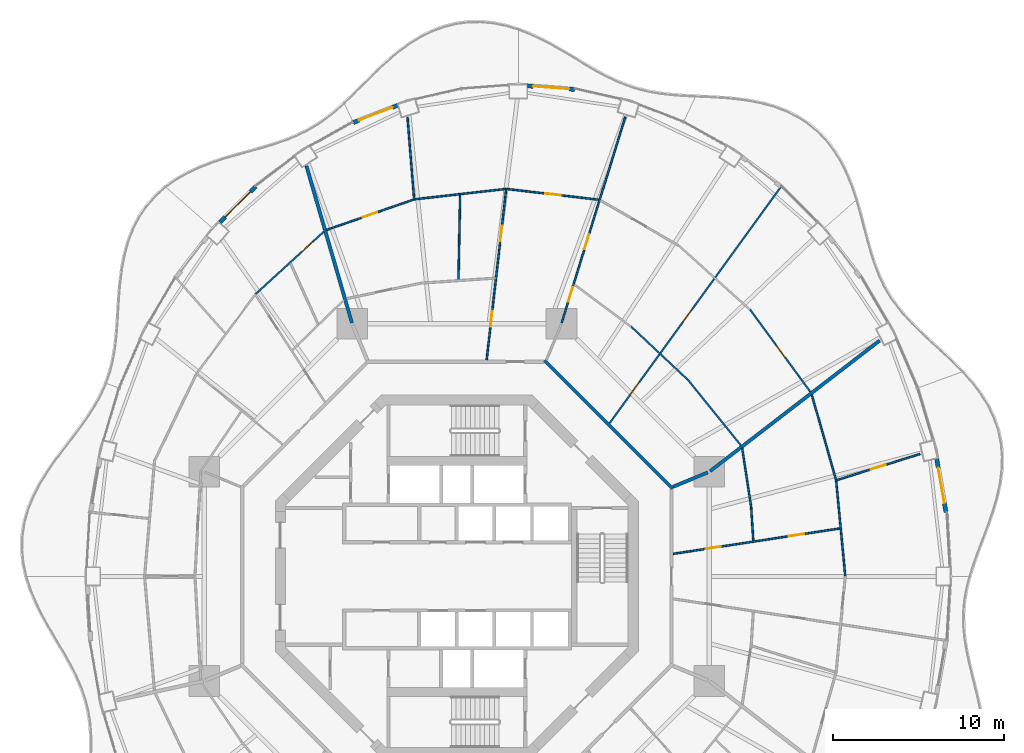
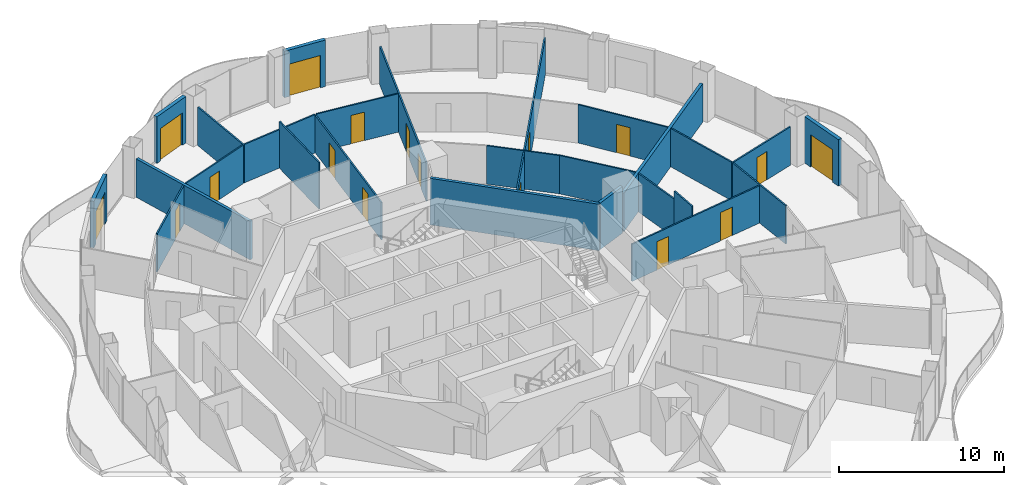
# One storey, part 15 of 19: 26 walls, 17 doors, 17 openings.
"""IFC4 building model written with IfcOpenShell, lengths in metres."""

from ifc_helpers import new_model, si_unit, direction, frame, frame_2d, origin, place, context, subcontext, project, spatial, rectangle, extrude, material, layer, layer_set, type_object, element, fill, save


model = new_model("IFC4")

# Units and contexts
model_context = context("Model", 3, precision=1e-05, world=origin(), true_north=direction((0.0, 1.0)))
body_context = subcontext(model_context, "Body", "Model", "MODEL_VIEW")
ifc_project = project(units=[si_unit("LENGTHUNIT", "METRE"), si_unit("AREAUNIT", "SQUARE_METRE"), si_unit("VOLUMEUNIT", "CUBIC_METRE"), si_unit("PLANEANGLEUNIT", "RADIAN"), si_unit("MASSUNIT", "GRAM", prefix="KILO")], contexts=[model_context])

# Site, building, storey
site_placement = place(None, origin())
site = spatial("IfcSite", under=ifc_project, at=site_placement, CompositionType="ELEMENT")
building_placement = place(site_placement, origin())
building = spatial("IfcBuilding", under=site, at=building_placement, Name="Nagisa Residences", CompositionType="ELEMENT")
storey_placement = place(building_placement, frame((0.0, 0.0, 191.800048828125)))
storey = spatial("IfcBuildingStorey", under=building, at=storey_placement, Name="L48", CompositionType="ELEMENT", Elevation=191.800048828125)

# Walls
ifc_material_1 = material(Name="Gypsum board on steel studs", Category="steel")
ifc_layer_1 = layer(ifc_material_1, 0.199951171875)
ifc_layer_set_1 = layer_set([ifc_layer_1], Name="Apartment compartment wall EI60 200")
wall_type_1 = type_object("IfcWallType", Name="Apartment compartment wall EI60 200", PredefinedType="PARTITIONING", material=ifc_layer_set_1)
wall_1_placement = place(storey_placement, frame((12.6572265625, 5.24267578125, 0.0), z_axis=(0.0, 0.0, 1.0), x_axis=(0.92383017907, 0.382802560388, 0.0)))
element("IfcWall", 1, at=wall_1_placement, inside=storey, type_object=wall_type_1, Name="wall:L48:u00", PredefinedType="PARTITIONING", context=body_context, shape_type="SweptSolid", body=[
    extrude(rectangle(XDim=2.2001953125, YDim=0.199951171875, at=frame_2d((1.10009765625, 0.0))), origin(), (0.0, 0.0, 1.0), 3.43994140625),
])
wall_2_placement = place(storey_placement, frame((14.82177734375, 6.153564453125, 0.0), z_axis=(0.0, 0.0, 1.0), x_axis=(0.792203056092, 0.610257583254, 0.0)))
element("IfcWall", 2, at=wall_2_placement, inside=storey, type_object=wall_type_1, Name="wall:L48:u01", PredefinedType="PARTITIONING", context=body_context, shape_type="SweptSolid", body=[
    extrude(rectangle(XDim=12.53271484375, YDim=0.199951171875, at=frame_2d((6.266357421875, 0.0))), origin(), (0.0, 0.0, 1.0), 2.8369140625),
])
wall_3_placement = place(storey_placement, frame((-6.136962890625, 14.830078125, 0.0), z_axis=(0.0, 0.0, 1.0), x_axis=(-0.278461169897, 0.96044748782, 0.0)))
element("IfcWall", 3, at=wall_3_placement, inside=storey, type_object=wall_type_1, Name="wall:L48:u03", PredefinedType="PARTITIONING", context=body_context, shape_type="SweptSolid", body=[
    extrude(rectangle(XDim=9.5732421875, YDim=0.199951171875, at=frame_2d((4.78662109375, 0.0))), origin(), (0.0, 0.0, 1.0), 2.8369140625),
])
ifc_material_2 = material(Name="Gypsum board on steel studs", Category="steel")
ifc_layer_2 = layer(ifc_material_2, 0.199951171875)
ifc_layer_set_2 = layer_set([ifc_layer_2], Name="Apartment entry wall EI60 200")
wall_type_2 = type_object("IfcWallType", Name="Apartment entry wall EI60 200", PredefinedType="PARTITIONING", material=ifc_layer_set_2)
wall_4_placement = place(storey_placement, frame((12.635498046875, 5.1337890625, 0.0), z_axis=(0.0, 0.0, 1.0), x_axis=(-0.707106781187, 0.707106781187, 0.0)))
element("IfcWall", 4, at=wall_4_placement, inside=storey, type_object=wall_type_2, Name="wall:L48:u11", PredefinedType="PARTITIONING", context=body_context, shape_type="SweptSolid", body=[
    extrude(rectangle(XDim=10.609130859375, YDim=0.199951171875, at=frame_2d((5.3046875, 0.0))), origin(), (0.0, 0.0, 1.0), 3.43994140625),
])
ifc_material_3 = material(Name="Gypsum board on steel studs", Category="steel")
ifc_layer_3 = layer(ifc_material_3, 0.10009765625)
ifc_layer_set_3 = layer_set([ifc_layer_3], Name="Apartment partition 100")
wall_type_3 = type_object("IfcWallType", Name="Apartment partition 100", PredefinedType="PARTITIONING", material=ifc_layer_set_3)
wall_5_placement = place(storey_placement, frame((22.734375, 0.0498046875, 0.0), z_axis=(0.0, 0.0, 1.0), x_axis=(-0.094923312677, 0.995484587882, 0.0)))
element("IfcWall", 5, at=wall_5_placement, inside=storey, type_object=wall_type_3, Name="wall:L48:u18", PredefinedType="PARTITIONING", context=body_context, shape_type="SweptSolid", body=[
    extrude(rectangle(XDim=5.5478515625, YDim=0.10009765625, at=frame_2d((2.77392578125, 0.0))), origin(), (0.0, 0.0, 1.0), 2.8369140625),
])

# Wall, openings, doors
wall_6_placement = place(storey_placement, frame((12.66357421875, 1.316162109375, 0.0), z_axis=(0.0, 0.0, 1.0), x_axis=(0.988579217853, 0.150702123505, 0.0)))
wall_6 = element("IfcWall", 6, at=wall_6_placement, inside=storey, type_object=wall_type_3, Name="wall:L48:u20", PredefinedType="PARTITIONING", context=body_context, shape_type="SweptSolid", body=[
    extrude(rectangle(XDim=9.870849609375, YDim=0.10009765625, at=frame_2d((4.935546875, 0.0))), origin(), (0.0, 0.0, 1.0), 2.755859375),
])
opening_1_placement = place(wall_6_placement, frame((1.92431640625, 0.0, 0.0)))
opening_1 = element("IfcOpeningElement", 7, at=opening_1_placement, cuts=wall_6, Name="Opening L48-U24", PredefinedType="OPENING", context=body_context, shape_type="SweptSolid", body=[
    extrude(rectangle(XDim=0.89990234375, YDim=2.10009765625, at=frame_2d((0.449951171875, 1.050048828125))), frame((0.0, 0.06005859375, 0.0), z_axis=(0.0, -1.0, 0.0), x_axis=(1.0, 0.0, 0.0)), (0.0, 0.0, 1.0), 0.1201171875),
])
opening_2_placement = place(wall_6_placement, frame((6.859619140625, 0.0, 0.0)))
opening_2 = element("IfcOpeningElement", 8, at=opening_2_placement, cuts=wall_6, Name="Opening L48-U27", PredefinedType="OPENING", context=body_context, shape_type="SweptSolid", body=[
    extrude(rectangle(XDim=0.89990234375, YDim=2.10009765625, at=frame_2d((0.449951171875, 1.050048828125))), frame((0.0, 0.06005859375, 0.0), z_axis=(0.0, -1.0, 0.0), x_axis=(1.0, 0.0, 0.0)), (0.0, 0.0, 1.0), 0.1201171875),
])
ifc_material_4 = material(Name="Timber door set", Category="wood")
door_type_1 = type_object("IfcDoorType", Name="Apartment door 900x2100", OperationType="NOTDEFINED", PredefinedType="DOOR", material=ifc_material_4)
door_1_placement = place(opening_1_placement, origin())
door_1 = element("IfcDoor", 9, at=door_1_placement, inside=storey, type_object=door_type_1, Name="Door to laundry, Apartment 48C", OperationType="SINGLE_SWING_RIGHT", OverallHeight=2.10009765625, OverallWidth=0.89990234375, PredefinedType="DOOR", context=body_context, shape_type="SweptSolid", body=[
    extrude(rectangle(XDim=0.89990234375, YDim=2.10009765625, at=frame_2d((0.449951171875, 1.050048828125))), frame((0.0, 0.02490234375, 0.0), z_axis=(0.0, -1.0, 0.0), x_axis=(1.0, 0.0, 0.0)), (0.0, 0.0, 1.0), 0.050048828125),
])
fill(opening_1, door_1)
door_2_placement = place(opening_2_placement, origin())
door_2 = element("IfcDoor", 10, at=door_2_placement, inside=storey, type_object=door_type_1, Name="Door to kitchen, Apartment 48C", OperationType="SINGLE_SWING_LEFT", OverallHeight=2.10009765625, OverallWidth=0.89990234375, PredefinedType="DOOR", context=body_context, shape_type="SweptSolid", body=[
    extrude(rectangle(XDim=0.89990234375, YDim=2.10009765625, at=frame_2d((0.449951171875, 1.050048828125))), frame((0.0, 0.02490234375, 0.0), z_axis=(0.0, -1.0, 0.0), x_axis=(1.0, 0.0, 0.0)), (0.0, 0.0, 1.0), 0.050048828125),
])
fill(opening_2, door_2)

# Walls
wall_7_placement = place(storey_placement, frame((17.35498046875, 2.081787109375, 0.0), z_axis=(0.0, 0.0, 1.0), x_axis=(-0.063689464349, 0.997969765139, 0.0)))
element("IfcWall", 11, at=wall_7_placement, inside=storey, type_object=wall_type_3, Name="wall:L48:u21", PredefinedType="PARTITIONING", context=body_context, shape_type="SweptSolid", body=[
    extrude(rectangle(XDim=1.935791015625, YDim=0.10009765625, at=frame_2d((0.9677734375, 0.0))), origin(), (0.0, 0.0, 1.0), 3.43994140625),
])
wall_8_placement = place(storey_placement, frame((17.236083984375, 4.01416015625, 0.0), z_axis=(0.0, 0.0, 1.0), x_axis=(-0.151087537093, 0.988520387314, 0.0)))
element("IfcWall", 12, at=wall_8_placement, inside=storey, type_object=wall_type_3, Name="wall:L48:u22", PredefinedType="PARTITIONING", context=body_context, shape_type="SweptSolid", body=[
    extrude(rectangle(XDim=3.519287109375, YDim=0.10009765625, at=frame_2d((1.759765625, 0.0))), origin(), (0.0, 0.0, 1.0), 2.8369140625),
])

# Wall, opening, door
wall_9_placement = place(storey_placement, frame((22.1552734375, 5.607421875, 0.0), z_axis=(0.0, 0.0, 1.0), x_axis=(0.954251251005, 0.299005936321, 0.0)))
wall_9 = element("IfcWall", 13, at=wall_9_placement, inside=storey, type_object=wall_type_3, Name="wall:L48:u23", PredefinedType="PARTITIONING", context=body_context, shape_type="SweptSolid", body=[
    extrude(rectangle(XDim=5.19140625, YDim=0.10009765625, at=frame_2d((2.595703125, 0.0))), origin(), (0.0, 0.0, 1.0), 2.8369140625),
])
opening_3_placement = place(wall_9_placement, frame((2.170654296875, 0.0, 0.0)))
opening_3 = element("IfcOpeningElement", 14, at=opening_3_placement, cuts=wall_9, Name="Opening L48-U30", PredefinedType="OPENING", context=body_context, shape_type="SweptSolid", body=[
    extrude(rectangle(XDim=0.89990234375, YDim=2.10009765625, at=frame_2d((0.449951171875, 1.050048828125))), frame((0.0, 0.06005859375, 0.0), z_axis=(0.0, -1.0, 0.0), x_axis=(1.0, 0.0, 0.0)), (0.0, 0.0, 1.0), 0.1201171875),
])
door_3_placement = place(opening_3_placement, origin())
door_3 = element("IfcDoor", 15, at=door_3_placement, inside=storey, type_object=door_type_1, Name="Door to bedroom, Apartment 48C", OperationType="SINGLE_SWING_RIGHT", OverallHeight=2.10009765625, OverallWidth=0.89990234375, PredefinedType="DOOR", context=body_context, shape_type="SweptSolid", body=[
    extrude(rectangle(XDim=0.89990234375, YDim=2.10009765625, at=frame_2d((0.449951171875, 1.050048828125))), frame((0.0, 0.02490234375, 0.0), z_axis=(0.0, -1.0, 0.0), x_axis=(1.0, 0.0, 0.0)), (0.0, 0.0, 1.0), 0.050048828125),
])
fill(opening_3, door_3)

# Walls
wall_10_placement = place(storey_placement, frame((22.189453125, 5.67041015625, 0.0), z_axis=(0.0, 0.0, 1.0), x_axis=(-0.273819702124, 0.961781040949, 0.0)))
element("IfcWall", 16, at=wall_10_placement, inside=storey, type_object=wall_type_3, Name="wall:L48:u24", PredefinedType="PARTITIONING", context=body_context, shape_type="SweptSolid", body=[
    extrude(rectangle(XDim=5.151611328125, YDim=0.10009765625, at=frame_2d((2.57568359375, 0.0))), origin(), (0.0, 0.0, 1.0), 2.8369140625),
])
wall_11_placement = place(storey_placement, frame((16.626220703125, 7.669921875, 0.0), z_axis=(0.0, 0.0, 1.0), x_axis=(-0.628764602857, 0.777595700987, 0.0)))
element("IfcWall", 17, at=wall_11_placement, inside=storey, type_object=wall_type_3, Name="wall:L48:u25", PredefinedType="PARTITIONING", context=body_context, shape_type="SweptSolid", body=[
    extrude(rectangle(XDim=4.957275390625, YDim=0.10009765625, at=frame_2d((2.478515625, 0.0))), origin(), (0.0, 0.0, 1.0), 2.8369140625),
])

# Wall, opening, door
wall_12_placement = place(storey_placement, frame((20.6923828125, 10.802001953125, 0.0), z_axis=(0.0, 0.0, 1.0), x_axis=(-0.591122127251, 0.806582066918, 0.0)))
wall_12 = element("IfcWall", 18, at=wall_12_placement, inside=storey, type_object=wall_type_3, Name="wall:L48:u26", PredefinedType="PARTITIONING", context=body_context, shape_type="SweptSolid", body=[
    extrude(rectangle(XDim=5.960205078125, YDim=0.10009765625, at=frame_2d((2.97998046875, 0.0))), origin(), (0.0, 0.0, 1.0), 2.8369140625),
])
opening_4_placement = place(wall_12_placement, frame((2.5048828125, 0.0, 0.0)))
opening_4 = element("IfcOpeningElement", 19, at=opening_4_placement, cuts=wall_12, Name="Opening L48-U42", PredefinedType="OPENING", context=body_context, shape_type="SweptSolid", body=[
    extrude(rectangle(XDim=0.89990234375, YDim=2.10009765625, at=frame_2d((0.449951171875, 1.050048828125))), frame((0.0, 0.06005859375, 0.0), z_axis=(0.0, -1.0, 0.0), x_axis=(1.0, 0.0, 0.0)), (0.0, 0.0, 1.0), 0.1201171875),
])
door_4_placement = place(opening_4_placement, frame((0.89990234375, 0.0, 0.0), x_axis=(-1.0, 0.0, 0.0)))
door_4 = element("IfcDoor", 20, at=door_4_placement, inside=storey, type_object=door_type_1, Name="Door to dining room, Apartment 48D", OperationType="SINGLE_SWING_LEFT", OverallHeight=2.10009765625, OverallWidth=0.89990234375, PredefinedType="DOOR", context=body_context, shape_type="SweptSolid", body=[
    extrude(rectangle(XDim=0.89990234375, YDim=2.10009765625, at=frame_2d((0.449951171875, 1.050048828125))), frame((0.0, 0.02490234375, 0.0), z_axis=(0.0, -1.0, 0.0), x_axis=(1.0, 0.0, 0.0)), (0.0, 0.0, 1.0), 0.050048828125),
])
fill(opening_4, door_4)

# Wall
wall_13_placement = place(storey_placement, frame((13.50439453125, 11.52001953125, 0.0), z_axis=(0.0, 0.0, 1.0), x_axis=(-0.728883199496, 0.684638066055, 0.0)))
element("IfcWall", 21, at=wall_13_placement, inside=storey, type_object=wall_type_3, Name="wall:L48:u27", PredefinedType="PARTITIONING", context=body_context, shape_type="SweptSolid", body=[
    extrude(rectangle(XDim=4.519287109375, YDim=0.10009765625, at=frame_2d((2.259765625, 0.0))), origin(), (0.0, 0.0, 1.0), 2.8369140625),
])

# Wall, openings, doors
wall_14_placement = place(storey_placement, frame((8.943359375, 8.965576171875, 0.0), z_axis=(0.0, 0.0, 1.0), x_axis=(0.586803608919, 0.809729290912, 0.0)))
wall_14 = element("IfcWall", 22, at=wall_14_placement, inside=storey, type_object=wall_type_3, Name="wall:L48:u29", PredefinedType="PARTITIONING", context=body_context, shape_type="SweptSolid", body=[
    extrude(rectangle(XDim=17.1787109375, YDim=0.10009765625, at=frame_2d((8.58935546875, 0.0))), origin(), (0.0, 0.0, 1.0), 2.755859375),
])
opening_5_placement = place(wall_14_placement, frame((2.0625, 0.0, 0.0)))
opening_5 = element("IfcOpeningElement", 23, at=opening_5_placement, cuts=wall_14, Name="Opening L48-U40", PredefinedType="OPENING", context=body_context, shape_type="SweptSolid", body=[
    extrude(rectangle(XDim=0.89990234375, YDim=2.10009765625, at=frame_2d((0.449951171875, 1.050048828125))), frame((0.0, 0.06005859375, 0.0), z_axis=(0.0, -1.0, 0.0), x_axis=(1.0, 0.0, 0.0)), (0.0, 0.0, 1.0), 0.1201171875),
])
opening_6_placement = place(wall_14_placement, frame((7.307861328125, 0.0, 0.0)))
opening_6 = element("IfcOpeningElement", 24, at=opening_6_placement, cuts=wall_14, Name="Opening L48-U41", PredefinedType="OPENING", context=body_context, shape_type="SweptSolid", body=[
    extrude(rectangle(XDim=0.89990234375, YDim=2.10009765625, at=frame_2d((0.449951171875, 1.050048828125))), frame((0.0, 0.06005859375, 0.0), z_axis=(0.0, -1.0, 0.0), x_axis=(1.0, 0.0, 0.0)), (0.0, 0.0, 1.0), 0.1201171875),
])
door_5_placement = place(opening_5_placement, frame((0.89990234375, 0.0, 0.0), x_axis=(-1.0, 0.0, 0.0)))
door_5 = element("IfcDoor", 25, at=door_5_placement, inside=storey, type_object=door_type_1, Name="Door to store, Apartment 48D", OperationType="SINGLE_SWING_LEFT", OverallHeight=2.10009765625, OverallWidth=0.89990234375, PredefinedType="DOOR", context=body_context, shape_type="SweptSolid", body=[
    extrude(rectangle(XDim=0.89990234375, YDim=2.10009765625, at=frame_2d((0.449951171875, 1.050048828125))), frame((0.0, 0.02490234375, 0.0), z_axis=(0.0, -1.0, 0.0), x_axis=(1.0, 0.0, 0.0)), (0.0, 0.0, 1.0), 0.050048828125),
])
fill(opening_5, door_5)
door_6_placement = place(opening_6_placement, frame((0.89990234375, 0.0, 0.0), x_axis=(-1.0, 0.0, 0.0)))
door_6 = element("IfcDoor", 26, at=door_6_placement, inside=storey, type_object=door_type_1, Name="Door to kitchen, Apartment 48D", OperationType="SINGLE_SWING_RIGHT", OverallHeight=2.10009765625, OverallWidth=0.89990234375, PredefinedType="DOOR", context=body_context, shape_type="SweptSolid", body=[
    extrude(rectangle(XDim=0.89990234375, YDim=2.10009765625, at=frame_2d((0.449951171875, 1.050048828125))), frame((0.0, 0.02490234375, 0.0), z_axis=(0.0, -1.0, 0.0), x_axis=(1.0, 0.0, 0.0)), (0.0, 0.0, 1.0), 0.050048828125),
])
fill(opening_6, door_6)

wall_15_placement = place(storey_placement, frame((6.1376953125, 14.829833984375, 0.0), z_axis=(0.0, 0.0, 1.0), x_axis=(0.294818517221, 0.955553264818, 0.0)))
wall_15 = element("IfcWall", 27, at=wall_15_placement, inside=storey, type_object=wall_type_3, Name="wall:L48:u33", PredefinedType="PARTITIONING", context=body_context, shape_type="SweptSolid", body=[
    extrude(rectangle(XDim=12.619384765625, YDim=0.10009765625, at=frame_2d((6.3095703125, 0.0))), origin(), (0.0, 0.0, 1.0), 2.8369140625),
])
opening_7_placement = place(wall_15_placement, frame((1.3056640625, 0.0, 0.0)))
opening_7 = element("IfcOpeningElement", 28, at=opening_7_placement, cuts=wall_15, Name="Opening L48-U32", PredefinedType="OPENING", context=body_context, shape_type="SweptSolid", body=[
    extrude(rectangle(XDim=0.89990234375, YDim=2.10009765625, at=frame_2d((0.449951171875, 1.050048828125))), frame((0.0, 0.06005859375, 0.0), z_axis=(0.0, -1.0, 0.0), x_axis=(1.0, 0.0, 0.0)), (0.0, 0.0, 1.0), 0.1201171875),
])
opening_8_placement = place(wall_15_placement, frame((4.5146484375, 0.0, 0.0)))
opening_8 = element("IfcOpeningElement", 29, at=opening_8_placement, cuts=wall_15, Name="Opening L48-U34", PredefinedType="OPENING", context=body_context, shape_type="SweptSolid", body=[
    extrude(rectangle(XDim=0.89990234375, YDim=2.10009765625, at=frame_2d((0.449951171875, 1.050048828125))), frame((0.0, 0.06005859375, 0.0), z_axis=(0.0, -1.0, 0.0), x_axis=(1.0, 0.0, 0.0)), (0.0, 0.0, 1.0), 0.1201171875),
])
door_7_placement = place(opening_7_placement, frame((0.89990234375, 0.0, 0.0), x_axis=(-1.0, 0.0, 0.0)))
door_7 = element("IfcDoor", 30, at=door_7_placement, inside=storey, type_object=door_type_1, Name="Door to laundry, Apartment 48D", OperationType="SINGLE_SWING_LEFT", OverallHeight=2.10009765625, OverallWidth=0.89990234375, PredefinedType="DOOR", context=body_context, shape_type="SweptSolid", body=[
    extrude(rectangle(XDim=0.89990234375, YDim=2.10009765625, at=frame_2d((0.449951171875, 1.050048828125))), frame((0.0, 0.02490234375, 0.0), z_axis=(0.0, -1.0, 0.0), x_axis=(1.0, 0.0, 0.0)), (0.0, 0.0, 1.0), 0.050048828125),
])
fill(opening_7, door_7)
door_8_placement = place(opening_8_placement, frame((0.89990234375, 0.0, 0.0), x_axis=(-1.0, 0.0, 0.0)))
door_8 = element("IfcDoor", 31, at=door_8_placement, inside=storey, type_object=door_type_1, Name="Door to study, Apartment 48D", OperationType="SINGLE_SWING_LEFT", OverallHeight=2.10009765625, OverallWidth=0.89990234375, PredefinedType="DOOR", context=body_context, shape_type="SweptSolid", body=[
    extrude(rectangle(XDim=0.89990234375, YDim=2.10009765625, at=frame_2d((0.449951171875, 1.050048828125))), frame((0.0, 0.02490234375, 0.0), z_axis=(0.0, -1.0, 0.0), x_axis=(1.0, 0.0, 0.0)), (0.0, 0.0, 1.0), 0.050048828125),
])
fill(opening_8, door_8)

# Wall, opening, door
wall_16_placement = place(storey_placement, frame((8.31201171875, 22.0439453125, 0.0), z_axis=(0.0, 0.0, 1.0), x_axis=(-0.993245806382, 0.1160291692, 0.0)))
wall_16 = element("IfcWall", 32, at=wall_16_placement, inside=storey, type_object=wall_type_3, Name="wall:L48:u34", PredefinedType="PARTITIONING", context=body_context, shape_type="SweptSolid", body=[
    extrude(rectangle(XDim=5.40771484375, YDim=0.10009765625, at=frame_2d((2.703857421875, 0.0))), origin(), (0.0, 0.0, 1.0), 2.8369140625),
])
opening_9_placement = place(wall_16_placement, frame((2.25390625, 0.0, 0.0)))
opening_9 = element("IfcOpeningElement", 33, at=opening_9_placement, cuts=wall_16, Name="Opening L48-U38", PredefinedType="OPENING", context=body_context, shape_type="SweptSolid", body=[
    extrude(rectangle(XDim=0.89990234375, YDim=2.10009765625, at=frame_2d((0.449951171875, 1.050048828125))), frame((0.0, 0.06005859375, 0.0), z_axis=(0.0, -1.0, 0.0), x_axis=(1.0, 0.0, 0.0)), (0.0, 0.0, 1.0), 0.1201171875),
])
door_9_placement = place(opening_9_placement, frame((0.89990234375, 0.0, 0.0), x_axis=(-1.0, 0.0, 0.0)))
door_9 = element("IfcDoor", 34, at=door_9_placement, inside=storey, type_object=door_type_1, Name="Door to family room, Apartment 48D", OperationType="SINGLE_SWING_LEFT", OverallHeight=2.10009765625, OverallWidth=0.89990234375, PredefinedType="DOOR", context=body_context, shape_type="SweptSolid", body=[
    extrude(rectangle(XDim=0.89990234375, YDim=2.10009765625, at=frame_2d((0.449951171875, 1.050048828125))), frame((0.0, 0.02490234375, 0.0), z_axis=(0.0, -1.0, 0.0), x_axis=(1.0, 0.0, 0.0)), (0.0, 0.0, 1.0), 0.050048828125),
])
fill(opening_9, door_9)

# Wall, openings, doors
wall_17_placement = place(storey_placement, frame((1.74609375, 12.6640625, 0.0), z_axis=(0.0, 0.0, 1.0), x_axis=(0.113629529561, 0.993523190475, 0.0)))
wall_17 = element("IfcWall", 35, at=wall_17_placement, inside=storey, type_object=wall_type_3, Name="wall:L48:u35", PredefinedType="PARTITIONING", context=body_context, shape_type="SweptSolid", body=[
    extrude(rectangle(XDim=10.12841796875, YDim=0.10009765625, at=frame_2d((5.064208984375, 0.0))), origin(), (0.0, 0.0, 1.0), 2.755859375),
])
opening_10_placement = place(wall_17_placement, frame((1.96240234375, 0.0, 0.0)))
opening_10 = element("IfcOpeningElement", 36, at=opening_10_placement, cuts=wall_17, Name="Opening L48-U33", PredefinedType="OPENING", context=body_context, shape_type="SweptSolid", body=[
    extrude(rectangle(XDim=0.89990234375, YDim=2.10009765625, at=frame_2d((0.449951171875, 1.050048828125))), frame((0.0, 0.06005859375, 0.0), z_axis=(0.0, -1.0, 0.0), x_axis=(1.0, 0.0, 0.0)), (0.0, 0.0, 1.0), 0.1201171875),
])
opening_11_placement = place(wall_17_placement, frame((7.001708984375, 0.0, 0.0)))
opening_11 = element("IfcOpeningElement", 37, at=opening_11_placement, cuts=wall_17, Name="Opening L48-U35", PredefinedType="OPENING", context=body_context, shape_type="SweptSolid", body=[
    extrude(rectangle(XDim=0.89990234375, YDim=2.10009765625, at=frame_2d((0.449951171875, 1.050048828125))), frame((0.0, 0.06005859375, 0.0), z_axis=(0.0, -1.0, 0.0), x_axis=(1.0, 0.0, 0.0)), (0.0, 0.0, 1.0), 0.1201171875),
])
door_10_placement = place(opening_10_placement, origin())
door_10 = element("IfcDoor", 38, at=door_10_placement, inside=storey, type_object=door_type_1, Name="Door to laundry, Apartment 48D", OperationType="SINGLE_SWING_LEFT", OverallHeight=2.10009765625, OverallWidth=0.89990234375, PredefinedType="DOOR", context=body_context, shape_type="SweptSolid", body=[
    extrude(rectangle(XDim=0.89990234375, YDim=2.10009765625, at=frame_2d((0.449951171875, 1.050048828125))), frame((0.0, 0.02490234375, 0.0), z_axis=(0.0, -1.0, 0.0), x_axis=(1.0, 0.0, 0.0)), (0.0, 0.0, 1.0), 0.050048828125),
])
fill(opening_10, door_10)
door_11_placement = place(opening_11_placement, origin())
door_11 = element("IfcDoor", 39, at=door_11_placement, inside=storey, type_object=door_type_1, Name="Door to family bathroom, Apartment 48D", OperationType="SINGLE_SWING_LEFT", OverallHeight=2.10009765625, OverallWidth=0.89990234375, PredefinedType="DOOR", context=body_context, shape_type="SweptSolid", body=[
    extrude(rectangle(XDim=0.89990234375, YDim=2.10009765625, at=frame_2d((0.449951171875, 1.050048828125))), frame((0.0, 0.02490234375, 0.0), z_axis=(0.0, -1.0, 0.0), x_axis=(1.0, 0.0, 0.0)), (0.0, 0.0, 1.0), 0.050048828125),
])
fill(opening_11, door_11)

# Walls
wall_18_placement = place(storey_placement, frame((2.841552734375, 22.67138671875, 0.0), z_axis=(0.0, 0.0, 1.0), x_axis=(-0.993660315081, -0.112424099879, 0.0)))
element("IfcWall", 40, at=wall_18_placement, inside=storey, type_object=wall_type_3, Name="wall:L48:u37", PredefinedType="PARTITIONING", context=body_context, shape_type="SweptSolid", body=[
    extrude(rectangle(XDim=5.32470703125, YDim=0.10009765625, at=frame_2d((2.662353515625, 0.0))), origin(), (0.0, 0.0, 1.0), 2.8369140625),
])
wall_19_placement = place(storey_placement, frame((0.095947265625, 17.3603515625, 0.0), z_axis=(0.0, 0.0, 1.0), x_axis=(0.019973380305, 0.999800512142, 0.0)))
element("IfcWall", 41, at=wall_19_placement, inside=storey, type_object=wall_type_3, Name="wall:L48:u38", PredefinedType="PARTITIONING", context=body_context, shape_type="SweptSolid", body=[
    extrude(rectangle(XDim=4.962646484375, YDim=0.10009765625, at=frame_2d((2.4814453125, 0.0))), origin(), (0.0, 0.0, 1.0), 3.43994140625),
])
wall_20_placement = place(storey_placement, frame((-2.4951171875, 22.017333984375, 0.0), z_axis=(0.0, 0.0, 1.0), x_axis=(-0.080150660566, 0.99678276049, 0.0)))
element("IfcWall", 42, at=wall_20_placement, inside=storey, type_object=wall_type_3, Name="wall:L48:u40", PredefinedType="PARTITIONING", context=body_context, shape_type="SweptSolid", body=[
    extrude(rectangle(XDim=4.8583984375, YDim=0.10009765625, at=frame_2d((2.42919921875, 0.0))), origin(), (0.0, 0.0, 1.0), 2.8369140625),
])

# Wall, opening, door
wall_21_placement = place(storey_placement, frame((-2.54638671875, 22.050537109375, 0.0), z_axis=(0.0, 0.0, 1.0), x_axis=(-0.94391294884, -0.330194404878, 0.0)))
wall_21 = element("IfcWall", 43, at=wall_21_placement, inside=storey, type_object=wall_type_3, Name="wall:L48:u41", PredefinedType="PARTITIONING", context=body_context, shape_type="SweptSolid", body=[
    extrude(rectangle(XDim=5.3671875, YDim=0.10009765625, at=frame_2d((2.68359375, 0.0))), origin(), (0.0, 0.0, 1.0), 2.8369140625),
])
opening_12_placement = place(wall_21_placement, frame((2.233642578125, 0.0, 0.0)))
opening_12 = element("IfcOpeningElement", 44, at=opening_12_placement, cuts=wall_21, Name="Opening L48-U39", PredefinedType="OPENING", context=body_context, shape_type="SweptSolid", body=[
    extrude(rectangle(XDim=0.89990234375, YDim=2.10009765625, at=frame_2d((0.449951171875, 1.050048828125))), frame((0.0, 0.06005859375, 0.0), z_axis=(0.0, -1.0, 0.0), x_axis=(1.0, 0.0, 0.0)), (0.0, 0.0, 1.0), 0.1201171875),
])
door_12_placement = place(opening_12_placement, frame((0.89990234375, 0.0, 0.0), x_axis=(-1.0, 0.0, 0.0)))
door_12 = element("IfcDoor", 45, at=door_12_placement, inside=storey, type_object=door_type_1, Name="Door to master bedroom, Apartment 48D", OperationType="SINGLE_SWING_RIGHT", OverallHeight=2.10009765625, OverallWidth=0.89990234375, PredefinedType="DOOR", context=body_context, shape_type="SweptSolid", body=[
    extrude(rectangle(XDim=0.89990234375, YDim=2.10009765625, at=frame_2d((0.449951171875, 1.050048828125))), frame((0.0, 0.02490234375, 0.0), z_axis=(0.0, -1.0, 0.0), x_axis=(1.0, 0.0, 0.0)), (0.0, 0.0, 1.0), 0.050048828125),
])
fill(opening_12, door_12)

wall_22_placement = place(storey_placement, frame((-7.78076171875, 20.177734375, 0.0), z_axis=(0.0, 0.0, 1.0), x_axis=(-0.73807320557, -0.674720640872, 0.0)))
wall_22 = element("IfcWall", 46, at=wall_22_placement, inside=storey, type_object=wall_type_3, Name="wall:L48:u43", PredefinedType="PARTITIONING", context=body_context, shape_type="SweptSolid", body=[
    extrude(rectangle(XDim=5.39892578125, YDim=0.10009765625, at=frame_2d((2.699462890625, 0.0))), origin(), (0.0, 0.0, 1.0), 2.8369140625),
])
opening_13_placement = place(wall_22_placement, frame((0.88720703125, 0.0, 0.0)))
opening_13 = element("IfcOpeningElement", 47, at=opening_13_placement, cuts=wall_22, Name="Opening L48-U53", PredefinedType="OPENING", context=body_context, shape_type="SweptSolid", body=[
    extrude(rectangle(XDim=0.89990234375, YDim=2.10009765625, at=frame_2d((0.449951171875, 1.050048828125))), frame((0.0, 0.06005859375, 0.0), z_axis=(0.0, -1.0, 0.0), x_axis=(1.0, 0.0, 0.0)), (0.0, 0.0, 1.0), 0.1201171875),
])
door_13_placement = place(opening_13_placement, origin())
door_13 = element("IfcDoor", 48, at=door_13_placement, inside=storey, type_object=door_type_1, Name="Door to en-suite bathroom, Apartment 48E", OperationType="SINGLE_SWING_LEFT", OverallHeight=2.10009765625, OverallWidth=0.89990234375, PredefinedType="DOOR", context=body_context, shape_type="SweptSolid", body=[
    extrude(rectangle(XDim=0.89990234375, YDim=2.10009765625, at=frame_2d((0.449951171875, 1.050048828125))), frame((0.0, 0.02490234375, 0.0), z_axis=(0.0, -1.0, 0.0), x_axis=(1.0, 0.0, 0.0)), (0.0, 0.0, 1.0), 0.050048828125),
])
fill(opening_13, door_13)

ifc_material_5 = material(Name="Precast concrete C40/50", Category="concrete")
ifc_layer_4 = layer(ifc_material_5, 0.25)
ifc_layer_set_4 = layer_set([ifc_layer_4], Name="BALCONY DOOR WALL 250")
wall_type_4 = type_object("IfcWallType", Name="BALCONY DOOR WALL 250", PredefinedType="SOLIDWALL", material=ifc_layer_set_4)
wall_23_placement = place(storey_placement, frame((28.08203125, 6.91015625, 0.0), z_axis=(0.0, 0.0, 1.0), x_axis=(0.172149769468, -0.985070787747, 0.0)))
wall_23 = element("IfcWall", 49, at=wall_23_placement, inside=storey, type_object=wall_type_4, Name="wall:L48:bay01", PredefinedType="SOLIDWALL", context=body_context, shape_type="SweptSolid", body=[
    extrude(rectangle(XDim=3.210693359375, YDim=0.25, at=frame_2d((1.60546875, 0.0))), origin(), (0.0, 0.0, 1.0), 3.43994140625),
])
opening_14_placement = place(wall_23_placement, frame((0.555419921875, 0.0, 0.0)))
opening_14 = element("IfcOpeningElement", 50, at=opening_14_placement, cuts=wall_23, Name="Opening BD-L48-01", PredefinedType="OPENING", context=body_context, shape_type="SweptSolid", body=[
    extrude(rectangle(XDim=2.10009765625, YDim=2.39990234375, at=frame_2d((1.050048828125, 1.199951171875))), frame((0.0, 0.135009765625, 0.0), z_axis=(0.0, -1.0, 0.0), x_axis=(1.0, 0.0, 0.0)), (0.0, 0.0, 1.0), 0.27001953125),
])
ifc_material_6 = material(Name="Aluminium and clear glass", Category="aluminium")
door_type_2 = type_object("IfcDoorType", Name="BALCONY SLIDING DOOR 2100x2400", OperationType="SLIDING_TO_LEFT", PredefinedType="DOOR", material=ifc_material_6)
door_14_placement = place(opening_14_placement, origin())
door_14 = element("IfcDoor", 51, at=door_14_placement, inside=storey, type_object=door_type_2, Name="door:L48:bay01", OperationType="SLIDING_TO_LEFT", OverallHeight=2.39990234375, OverallWidth=2.10009765625, PredefinedType="DOOR", context=body_context, shape_type="SweptSolid", body=[
    extrude(rectangle(XDim=2.10009765625, YDim=2.39990234375, at=frame_2d((1.050048828125, 1.199951171875))), frame((0.0, 0.02490234375, 0.0), z_axis=(0.0, -1.0, 0.0), x_axis=(1.0, 0.0, 0.0)), (0.0, 0.0, 1.0), 0.050048828125),
])
fill(opening_14, door_14)

wall_24_placement = place(storey_placement, frame((4.13916015625, 28.70947265625, 0.0), z_axis=(0.0, 0.0, 1.0), x_axis=(0.997232064422, -0.074351931305, 0.0)))
wall_24 = element("IfcWall", 52, at=wall_24_placement, inside=storey, type_object=wall_type_4, Name="wall:L48:bay11", PredefinedType="SOLIDWALL", context=body_context, shape_type="SweptSolid", body=[
    extrude(rectangle(XDim=2.771240234375, YDim=0.25, at=frame_2d((1.3857421875, 0.0))), origin(), (0.0, 0.0, 1.0), 3.43994140625),
])
opening_15_placement = place(wall_24_placement, frame((0.335693359375, 0.0, 0.0)))
opening_15 = element("IfcOpeningElement", 53, at=opening_15_placement, cuts=wall_24, Name="Opening BD-L48-04", PredefinedType="OPENING", context=body_context, shape_type="SweptSolid", body=[
    extrude(rectangle(XDim=2.10009765625, YDim=2.39990234375, at=frame_2d((1.050048828125, 1.199951171875))), frame((0.0, 0.135009765625, 0.0), z_axis=(0.0, -1.0, 0.0), x_axis=(1.0, 0.0, 0.0)), (0.0, 0.0, 1.0), 0.27001953125),
])
door_15_placement = place(opening_15_placement, origin())
door_15 = element("IfcDoor", 54, at=door_15_placement, inside=storey, type_object=door_type_2, Name="door:L48:bay11", OperationType="SLIDING_TO_LEFT", OverallHeight=2.39990234375, OverallWidth=2.10009765625, PredefinedType="DOOR", context=body_context, shape_type="SweptSolid", body=[
    extrude(rectangle(XDim=2.10009765625, YDim=2.39990234375, at=frame_2d((1.050048828125, 1.199951171875))), frame((0.0, 0.02490234375, 0.0), z_axis=(0.0, -1.0, 0.0), x_axis=(1.0, 0.0, 0.0)), (0.0, 0.0, 1.0), 0.050048828125),
])
fill(opening_15, door_15)

wall_25_placement = place(storey_placement, frame((-6.0654296875, 26.560302734375, 0.0), z_axis=(0.0, 0.0, 1.0), x_axis=(0.932795487898, 0.360406128911, 0.0)))
wall_25 = element("IfcWall", 55, at=wall_25_placement, inside=storey, type_object=wall_type_4, Name="wall:L48:bay14", PredefinedType="SOLIDWALL", context=body_context, shape_type="SweptSolid", body=[
    extrude(rectangle(XDim=2.8193359375, YDim=0.25, at=frame_2d((1.40966796875, 0.0))), origin(), (0.0, 0.0, 1.0), 3.43994140625),
])
opening_16_placement = place(wall_25_placement, frame((0.359619140625, 0.0, 0.0)))
opening_16 = element("IfcOpeningElement", 56, at=opening_16_placement, cuts=wall_25, Name="Opening BD-L48-05", PredefinedType="OPENING", context=body_context, shape_type="SweptSolid", body=[
    extrude(rectangle(XDim=2.10009765625, YDim=2.39990234375, at=frame_2d((1.050048828125, 1.199951171875))), frame((0.0, 0.135009765625, 0.0), z_axis=(0.0, -1.0, 0.0), x_axis=(1.0, 0.0, 0.0)), (0.0, 0.0, 1.0), 0.27001953125),
])
door_16_placement = place(opening_16_placement, origin())
door_16 = element("IfcDoor", 57, at=door_16_placement, inside=storey, type_object=door_type_2, Name="door:L48:bay14", OperationType="SLIDING_TO_LEFT", OverallHeight=2.39990234375, OverallWidth=2.10009765625, PredefinedType="DOOR", context=body_context, shape_type="SweptSolid", body=[
    extrude(rectangle(XDim=2.10009765625, YDim=2.39990234375, at=frame_2d((1.050048828125, 1.199951171875))), frame((0.0, 0.02490234375, 0.0), z_axis=(0.0, -1.0, 0.0), x_axis=(1.0, 0.0, 0.0)), (0.0, 0.0, 1.0), 0.050048828125),
])
fill(opening_16, door_16)

wall_26_placement = place(storey_placement, frame((-13.865234375, 20.7177734375, 0.0), z_axis=(0.0, 0.0, 1.0), x_axis=(0.707844845069, 0.706367946122, 0.0)))
wall_26 = element("IfcWall", 58, at=wall_26_placement, inside=storey, type_object=wall_type_4, Name="wall:L48:bay17", PredefinedType="SOLIDWALL", context=body_context, shape_type="SweptSolid", body=[
    extrude(rectangle(XDim=2.9755859375, YDim=0.25, at=frame_2d((1.48779296875, 0.0))), origin(), (0.0, 0.0, 1.0), 3.43994140625),
])
opening_17_placement = place(wall_26_placement, frame((0.437744140625, 0.0, 0.0)))
opening_17 = element("IfcOpeningElement", 59, at=opening_17_placement, cuts=wall_26, Name="Opening BD-L48-06", PredefinedType="OPENING", context=body_context, shape_type="SweptSolid", body=[
    extrude(rectangle(XDim=2.10009765625, YDim=2.39990234375, at=frame_2d((1.050048828125, 1.199951171875))), frame((0.0, 0.135009765625, 0.0), z_axis=(0.0, -1.0, 0.0), x_axis=(1.0, 0.0, 0.0)), (0.0, 0.0, 1.0), 0.27001953125),
])
door_17_placement = place(opening_17_placement, origin())
door_17 = element("IfcDoor", 60, at=door_17_placement, inside=storey, type_object=door_type_2, Name="door:L48:bay17", OperationType="SLIDING_TO_LEFT", OverallHeight=2.39990234375, OverallWidth=2.10009765625, PredefinedType="DOOR", context=body_context, shape_type="SweptSolid", body=[
    extrude(rectangle(XDim=2.10009765625, YDim=2.39990234375, at=frame_2d((1.050048828125, 1.199951171875))), frame((0.0, 0.02490234375, 0.0), z_axis=(0.0, -1.0, 0.0), x_axis=(1.0, 0.0, 0.0)), (0.0, 0.0, 1.0), 0.050048828125),
])
fill(opening_17, door_17)

save(model, "model.ifc")
